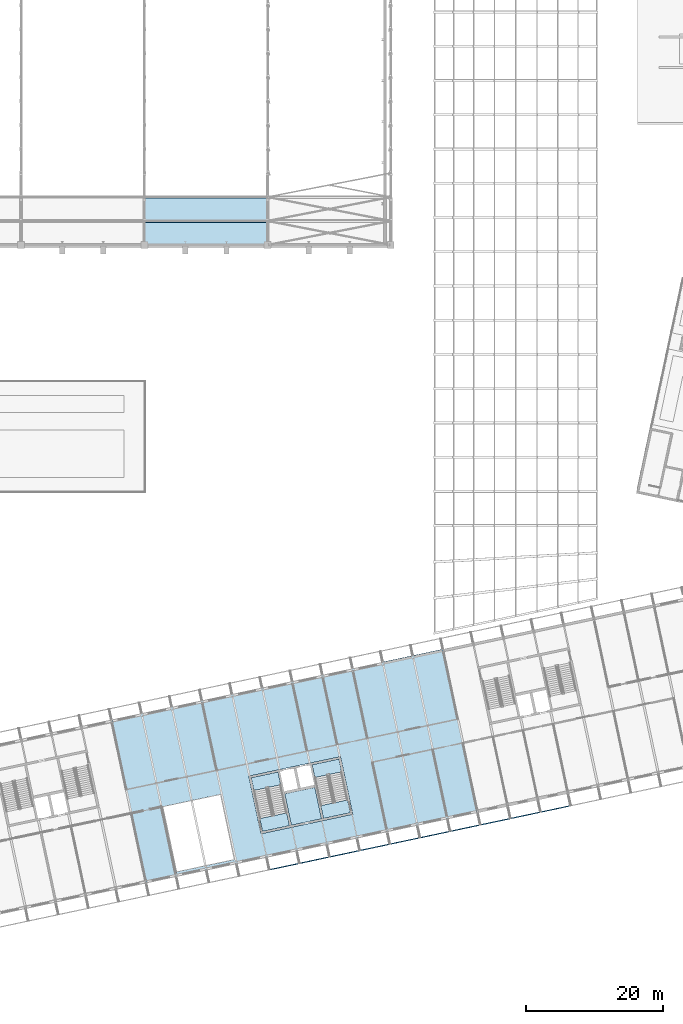
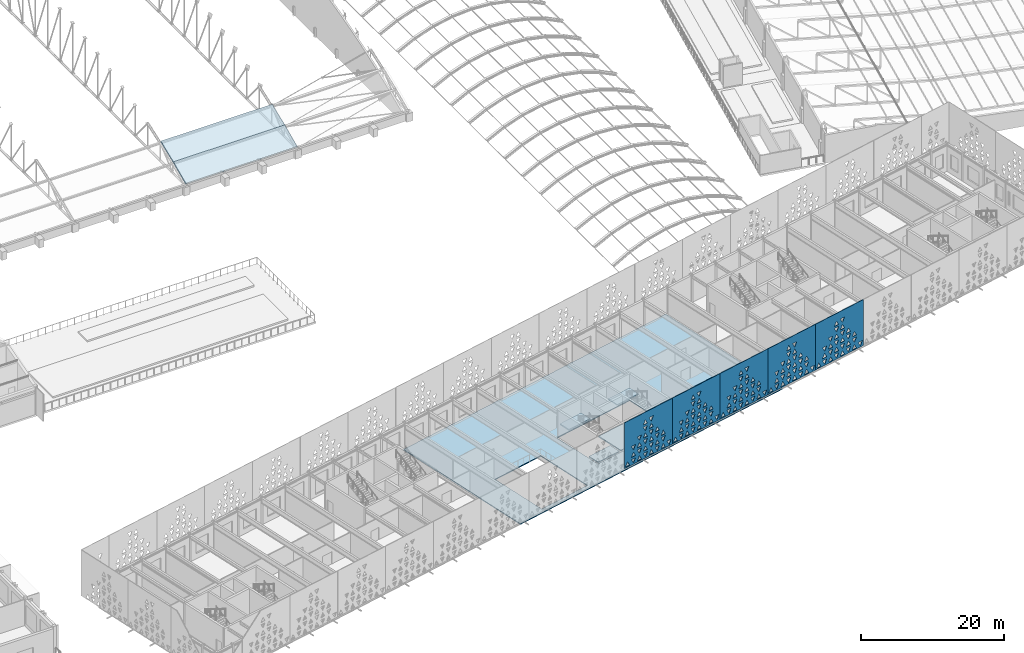
# One storey, part 108 of 196: 8 slabs, 5 plates, 2 elements without a shape of their own.
"""IFC4 building model written with IfcOpenShell, lengths in metres."""

from ifc_helpers import new_model, si_unit, direction, frame, origin, place, context, subcontext, project, spatial, polyline, outline, extrude, material, layer, layer_set, type_object, element, aggregate, save


model = new_model("IFC4")

# Units and contexts
model_context = context("Model", 3, precision=1e-05, world=origin(), true_north=direction((0.0, 1.0)))
body_context = subcontext(model_context, "Body", "Model", "MODEL_VIEW")
ifc_project = project(units=[si_unit("LENGTHUNIT", "METRE"), si_unit("AREAUNIT", "SQUARE_METRE"), si_unit("VOLUMEUNIT", "CUBIC_METRE"), si_unit("PLANEANGLEUNIT", "RADIAN"), si_unit("MASSUNIT", "GRAM", prefix="KILO")], contexts=[model_context])

# Site, building, storey
site_placement = place(None, origin())
site = spatial("IfcSite", under=ifc_project, at=site_placement, CompositionType="ELEMENT")
building_placement = place(site_placement, origin())
building = spatial("IfcBuilding", under=site, at=building_placement, Name="Okhra Congress Centre", CompositionType="ELEMENT")
storey_placement = place(building_placement, frame((0.0, 0.0, 12.0)))
storey = spatial("IfcBuildingStorey", under=building, at=storey_placement, Name="L02", CompositionType="ELEMENT", Elevation=12.0)

# Slabs
ifc_material_1 = material(Name="Concrete C30/37 on profiled steel deck", Category="concrete")
ifc_layer_1 = layer(ifc_material_1, 0.14990234375)
ifc_layer_set_1 = layer_set([ifc_layer_1], Name="Composite floor deck 150 REI 120 C30/37")
slab_type_1 = type_object("IfcSlabType", Name="Composite floor deck 150 REI 120 C30/37", PredefinedType="FLOOR", material=ifc_layer_set_1)
slab_1_placement = place(storey_placement, frame((0.0, 0.0, -0.14990234375)))
element("IfcSlab", 1, at=slab_1_placement, inside=storey, type_object=slab_type_1, Name="Floor slab L02 bay 2", PredefinedType="FLOOR", context=body_context, shape_type="SweptSolid", body=[
    extrude(outline(polyline([(113.244873046875, 62.677978515625), (118.328369140625, 38.762451171875), (166.64892578125, 49.033203125), (161.5654296875, 72.948974609375), (113.244873046875, 62.677978515625)]), holes=[polyline([(146.65234375, 57.25537109375), (133.251708984375, 54.406982421875), (135.039794921875, 45.994873046875), (148.4404296875, 48.84326171875), (146.65234375, 57.25537109375)]), polyline([(120.7041015625, 49.950927734375), (122.72607421875, 40.438232421875), (131.137939453125, 42.226318359375), (129.1162109375, 51.73876953125), (120.7041015625, 49.950927734375)])]), origin(), (0.0, 0.0, 1.0), 0.14990234375),
])
ifc_material_2 = material(Name="Insulated metal sandwich roof panel (mineral wool core)")
ifc_layer_2 = layer(ifc_material_2, 0.25)
ifc_layer_set_2 = layer_set([ifc_layer_2], Name="Insulated roof panel 250")
slab_type_2 = type_object("IfcSlabType", Name="Insulated roof panel 250", PredefinedType="ROOF", material=ifc_layer_set_2)
slab_2_placement = place(storey_placement, frame((118.0, 131.795654296875, 1.8564453125), z_axis=(0.0, -0.408547084695, 0.912737245645), x_axis=(1.0, 0.0, 0.0)))
element("IfcSlab", 2, at=slab_2_placement, inside=storey, type_object=slab_type_2, Name="EH.SLAB.L02.RP6-01", PredefinedType="ROOF", context=body_context, shape_type="SweptSolid", body=[
    extrude(outline(polyline([(0.0, 0.0), (18.0, 0.0), (18.0, 3.8442488013304907), (0.0, 3.8442488013304907), (0.0, 0.0)])), origin(), (0.0, 0.0, -1.0), 0.25),
])
slab_3_placement = place(storey_placement, frame((118.0, 135.304443359375, 3.427001953125), z_axis=(0.0, -0.37302210348, 0.927822456247), x_axis=(1.0, 0.0, 0.0)))
element("IfcSlab", 3, at=slab_3_placement, inside=storey, type_object=slab_type_2, Name="EH.SLAB.L02.RP6-02", PredefinedType="ROOF", context=body_context, shape_type="SweptSolid", body=[
    extrude(outline(polyline([(0.0, 0.0), (18.0, 0.0), (18.0, 3.791482133182613), (0.0, 3.791482133182613), (0.0, 0.0)])), origin(), (0.0, 0.0, -1.0), 0.25),
])
ifc_material_3 = material(Name="Concrete C30/37", Category="concrete")
ifc_layer_3 = layer(ifc_material_3, 0.199951171875)
ifc_layer_set_3 = layer_set([ifc_layer_3], Name="RC floor slab 200 REI 120 C30/37")
slab_type_3 = type_object("IfcSlabType", Name="RC floor slab 200 REI 120 C30/37", PredefinedType="FLOOR", material=ifc_layer_set_3)
slab_4_placement = place(storey_placement, frame((0.0, 0.0, -0.199951171875)))
element("IfcSlab", 4, at=slab_4_placement, inside=storey, type_object=slab_type_3, Name="Stair floor landing 3A L02", PredefinedType="FLOOR", context=body_context, shape_type="SweptSolid", body=[
    extrude(outline(polyline([(139.189453125, 47.178466796875), (135.26708984375, 46.3447265625), (134.869873046875, 48.213134765625), (138.792236328125, 49.046875), (139.189453125, 47.178466796875)])), origin(), (0.0, 0.0, 1.0), 0.199951171875),
])
slab_5_placement = place(storey_placement, frame((0.0, 0.0, -0.199951171875)))
element("IfcSlab", 5, at=slab_5_placement, inside=storey, type_object=slab_type_3, Name="Stair floor landing 3B L02", PredefinedType="FLOOR", context=body_context, shape_type="SweptSolid", body=[
    extrude(outline(polyline([(148.090576171875, 49.070556640625), (144.168212890625, 48.23681640625), (143.77099609375, 50.10498046875), (147.693359375, 50.938720703125), (148.090576171875, 49.070556640625)])), origin(), (0.0, 0.0, 1.0), 0.199951171875),
])
slab_6_placement = place(storey_placement, frame((0.0, 0.0, -0.199951171875)))
element("IfcSlab", 6, at=slab_6_placement, inside=storey, type_object=slab_type_3, Name="Riser room floor 3 L02", PredefinedType="FLOOR", context=body_context, shape_type="SweptSolid", body=[
    extrude(outline(polyline([(139.476806640625, 47.244873046875), (143.87841796875, 48.180419921875), (142.9013671875, 52.777587890625), (138.499755859375, 51.842041015625), (139.476806640625, 47.244873046875)])), origin(), (0.0, 0.0, 1.0), 0.199951171875),
])

# Stair, slab
stair_type = type_object("IfcStairType", Name="Escape stair 1900 wide, 30 risers of 160.0", PredefinedType="HALF_TURN_STAIR", material=ifc_material_3)
stair_1_placement = place(storey_placement, origin())
stair_1 = element("IfcStair", 7, at=stair_1_placement, inside=storey, type_object=stair_type, Name="L02 Escape stair 3A", PredefinedType="HALF_TURN_STAIR")
ifc_layer_4 = layer(ifc_material_3, 0.199951171875)
ifc_layer_set_4 = layer_set([ifc_layer_4], Name="RC stair landing 200 C30/37")
slab_type_4 = type_object("IfcSlabType", Name="RC stair landing 200 C30/37", PredefinedType="LANDING", material=ifc_layer_set_4)
slab_7_placement = place(storey_placement, frame((0.0, 0.0, 2.199951171875)))
slab_7 = element("IfcSlab", 8, at=slab_7_placement, type_object=slab_type_4, Name="BS3A landing 1", PredefinedType="LANDING", context=body_context, shape_type="SweptSolid", body=[
    extrude(outline(polyline([(137.921142578125, 53.145263671875), (133.998779296875, 52.3115234375), (133.6015625, 54.1796875), (137.52392578125, 55.013427734375), (137.921142578125, 53.145263671875)])), origin(), (0.0, 0.0, 1.0), 0.199951171875),
])
aggregate(stair_1, [slab_7])

stair_2_placement = place(storey_placement, origin())
stair_2 = element("IfcStair", 9, at=stair_2_placement, inside=storey, type_object=stair_type, Name="L02 Escape stair 3B", PredefinedType="HALF_TURN_STAIR")
slab_8_placement = place(storey_placement, frame((0.0, 0.0, 2.199951171875)))
slab_8 = element("IfcSlab", 10, at=slab_8_placement, type_object=slab_type_4, Name="BS3B landing 1", PredefinedType="LANDING", context=body_context, shape_type="SweptSolid", body=[
    extrude(outline(polyline([(146.822265625, 55.037353515625), (142.89990234375, 54.20361328125), (142.502685546875, 56.07177734375), (146.425048828125, 56.905517578125), (146.822265625, 55.037353515625)])), origin(), (0.0, 0.0, 1.0), 0.199951171875),
])
aggregate(stair_2, [slab_8])

# Plates
ifc_material_4 = material(Name="Fired clay terracotta rainscreen panel, deep oxide-red glaze, non-combustible", Category="masonry")
ifc_layer_5 = layer(ifc_material_4, 0.080078125)
ifc_layer_set_5 = layer_set([ifc_layer_5], Name="Terracotta screen panel 8980x7840")
plate_type = type_object("IfcPlateType", Name="Terracotta screen panel 8980x7840", PredefinedType="SHEET", material=ifc_layer_set_5)
plate_1_placement = place(storey_placement, frame((136.27001953125, 40.73583984375, 1.949951171875), z_axis=(0.0, 0.0, 1.0), x_axis=(0.978150766104, 0.207896798366, 0.0)))
element("IfcPlate", 11, at=plate_1_placement, inside=storey, type_object=plate_type, Name="Screen panel S10 Tier 2", PredefinedType="SHEET", context=body_context, shape_type="SweptSolid", body=[
    extrude(outline(polyline([(0.0, 0.0), (8.980224609375, 0.0), (8.980224609375, 7.840087890625), (0.0, 7.840087890625), (0.0, 0.0)]), holes=[polyline([(0.176513671875, 0.183837890625), (0.943603515625, 0.183837890625), (0.56005859375, 0.93603515625), (0.176513671875, 0.183837890625)]), polyline([(1.29638671875, 0.93603515625), (1.679931640625, 0.183837890625), (2.0634765625, 0.93603515625), (1.29638671875, 0.93603515625)]), polyline([(2.41650390625, 0.183837890625), (3.18359375, 0.183837890625), (2.800048828125, 0.93603515625), (2.41650390625, 0.183837890625)]), polyline([(3.536376953125, 0.93603515625), (3.919921875, 0.183837890625), (4.3037109375, 0.93603515625), (3.536376953125, 0.93603515625)]), polyline([(4.656494140625, 0.183837890625), (5.423583984375, 0.183837890625), (5.0400390625, 0.93603515625), (4.656494140625, 0.183837890625)]), polyline([(5.7763671875, 0.93603515625), (6.159912109375, 0.183837890625), (6.543701171875, 0.93603515625), (5.7763671875, 0.93603515625)]), polyline([(6.896484375, 0.183837890625), (7.66357421875, 0.183837890625), (7.280029296875, 0.93603515625), (6.896484375, 0.183837890625)]), polyline([(8.016357421875, 0.93603515625), (8.39990234375, 0.183837890625), (8.78369140625, 0.93603515625), (8.016357421875, 0.93603515625)]), polyline([(1.29638671875, 1.303955078125), (2.0634765625, 1.303955078125), (1.679931640625, 2.05615234375), (1.29638671875, 1.303955078125)]), polyline([(2.41650390625, 2.05615234375), (2.800048828125, 1.303955078125), (3.18359375, 2.05615234375), (2.41650390625, 2.05615234375)]), polyline([(3.536376953125, 1.303955078125), (4.3037109375, 1.303955078125), (3.919921875, 2.05615234375), (3.536376953125, 1.303955078125)]), polyline([(4.656494140625, 2.05615234375), (5.0400390625, 1.303955078125), (5.423583984375, 2.05615234375), (4.656494140625, 2.05615234375)]), polyline([(5.7763671875, 1.303955078125), (6.543701171875, 1.303955078125), (6.159912109375, 2.05615234375), (5.7763671875, 1.303955078125)]), polyline([(6.896484375, 2.05615234375), (7.280029296875, 1.303955078125), (7.66357421875, 2.05615234375), (6.896484375, 2.05615234375)]), polyline([(1.29638671875, 3.176025390625), (1.679931640625, 2.423828125), (2.0634765625, 3.176025390625), (1.29638671875, 3.176025390625)]), polyline([(2.41650390625, 2.423828125), (3.18359375, 2.423828125), (2.800048828125, 3.176025390625), (2.41650390625, 2.423828125)]), polyline([(3.536376953125, 3.176025390625), (3.919921875, 2.423828125), (4.3037109375, 3.176025390625), (3.536376953125, 3.176025390625)]), polyline([(4.656494140625, 2.423828125), (5.423583984375, 2.423828125), (5.0400390625, 3.176025390625), (4.656494140625, 2.423828125)]), polyline([(5.7763671875, 3.176025390625), (6.159912109375, 2.423828125), (6.543701171875, 3.176025390625), (5.7763671875, 3.176025390625)]), polyline([(6.896484375, 2.423828125), (7.66357421875, 2.423828125), (7.280029296875, 3.176025390625), (6.896484375, 2.423828125)]), polyline([(2.41650390625, 4.296142578125), (2.800048828125, 3.5439453125), (3.18359375, 4.296142578125), (2.41650390625, 4.296142578125)]), polyline([(3.536376953125, 3.5439453125), (4.3037109375, 3.5439453125), (3.919921875, 4.296142578125), (3.536376953125, 3.5439453125)]), polyline([(4.656494140625, 4.296142578125), (5.0400390625, 3.5439453125), (5.423583984375, 4.296142578125), (4.656494140625, 4.296142578125)]), polyline([(5.7763671875, 3.5439453125), (6.543701171875, 3.5439453125), (6.159912109375, 4.296142578125), (5.7763671875, 3.5439453125)]), polyline([(3.536376953125, 5.416015625), (3.919921875, 4.663818359375), (4.3037109375, 5.416015625), (3.536376953125, 5.416015625)]), polyline([(4.656494140625, 4.663818359375), (5.423583984375, 4.663818359375), (5.0400390625, 5.416015625), (4.656494140625, 4.663818359375)]), polyline([(3.536376953125, 5.783935546875), (4.3037109375, 5.783935546875), (3.919921875, 6.5361328125), (3.536376953125, 5.783935546875)]), polyline([(4.656494140625, 6.5361328125), (5.0400390625, 5.783935546875), (5.423583984375, 6.5361328125), (4.656494140625, 6.5361328125)])]), frame((0.0, 0.0400390625, 0.0), z_axis=(0.0, -1.0, 0.0), x_axis=(1.0, 0.0, 0.0)), (0.0, 0.0, 1.0), 0.080078125),
])
plate_2_placement = place(storey_placement, frame((145.073486328125, 42.60693359375, 1.949951171875), z_axis=(0.0, 0.0, 1.0), x_axis=(0.978144061878, 0.207928339131, 0.0)))
element("IfcPlate", 12, at=plate_2_placement, inside=storey, type_object=plate_type, Name="Screen panel S11 Tier 2", PredefinedType="SHEET", context=body_context, shape_type="SweptSolid", body=[
    extrude(outline(polyline([(0.0, 0.0), (8.97998046875, 0.0), (8.97998046875, 7.840087890625), (0.0, 7.840087890625), (0.0, 0.0)]), holes=[polyline([(0.176513671875, 0.183837890625), (0.943603515625, 0.183837890625), (0.56005859375, 0.93603515625), (0.176513671875, 0.183837890625)]), polyline([(1.29638671875, 0.93603515625), (1.679931640625, 0.183837890625), (2.0634765625, 0.93603515625), (1.29638671875, 0.93603515625)]), polyline([(2.41650390625, 0.183837890625), (3.18359375, 0.183837890625), (2.800048828125, 0.93603515625), (2.41650390625, 0.183837890625)]), polyline([(3.536376953125, 0.93603515625), (3.919921875, 0.183837890625), (4.3037109375, 0.93603515625), (3.536376953125, 0.93603515625)]), polyline([(4.656494140625, 0.183837890625), (5.423583984375, 0.183837890625), (5.0400390625, 0.93603515625), (4.656494140625, 0.183837890625)]), polyline([(5.7763671875, 0.93603515625), (6.159912109375, 0.183837890625), (6.543701171875, 0.93603515625), (5.7763671875, 0.93603515625)]), polyline([(6.896484375, 0.183837890625), (7.66357421875, 0.183837890625), (7.280029296875, 0.93603515625), (6.896484375, 0.183837890625)]), polyline([(8.016357421875, 0.93603515625), (8.39990234375, 0.183837890625), (8.78369140625, 0.93603515625), (8.016357421875, 0.93603515625)]), polyline([(1.29638671875, 1.303955078125), (2.0634765625, 1.303955078125), (1.679931640625, 2.05615234375), (1.29638671875, 1.303955078125)]), polyline([(2.41650390625, 2.05615234375), (2.800048828125, 1.303955078125), (3.18359375, 2.05615234375), (2.41650390625, 2.05615234375)]), polyline([(3.536376953125, 1.303955078125), (4.3037109375, 1.303955078125), (3.919921875, 2.05615234375), (3.536376953125, 1.303955078125)]), polyline([(4.656494140625, 2.05615234375), (5.0400390625, 1.303955078125), (5.423583984375, 2.05615234375), (4.656494140625, 2.05615234375)]), polyline([(5.7763671875, 1.303955078125), (6.543701171875, 1.303955078125), (6.159912109375, 2.05615234375), (5.7763671875, 1.303955078125)]), polyline([(6.896484375, 2.05615234375), (7.280029296875, 1.303955078125), (7.66357421875, 2.05615234375), (6.896484375, 2.05615234375)]), polyline([(1.29638671875, 3.176025390625), (1.679931640625, 2.423828125), (2.0634765625, 3.176025390625), (1.29638671875, 3.176025390625)]), polyline([(2.41650390625, 2.423828125), (3.18359375, 2.423828125), (2.800048828125, 3.176025390625), (2.41650390625, 2.423828125)]), polyline([(3.536376953125, 3.176025390625), (3.919921875, 2.423828125), (4.3037109375, 3.176025390625), (3.536376953125, 3.176025390625)]), polyline([(4.656494140625, 2.423828125), (5.423583984375, 2.423828125), (5.0400390625, 3.176025390625), (4.656494140625, 2.423828125)]), polyline([(5.7763671875, 3.176025390625), (6.159912109375, 2.423828125), (6.543701171875, 3.176025390625), (5.7763671875, 3.176025390625)]), polyline([(6.896484375, 2.423828125), (7.66357421875, 2.423828125), (7.280029296875, 3.176025390625), (6.896484375, 2.423828125)]), polyline([(2.41650390625, 4.296142578125), (2.800048828125, 3.5439453125), (3.18359375, 4.296142578125), (2.41650390625, 4.296142578125)]), polyline([(3.536376953125, 3.5439453125), (4.3037109375, 3.5439453125), (3.919921875, 4.296142578125), (3.536376953125, 3.5439453125)]), polyline([(4.656494140625, 4.296142578125), (5.0400390625, 3.5439453125), (5.423583984375, 4.296142578125), (4.656494140625, 4.296142578125)]), polyline([(5.7763671875, 3.5439453125), (6.543701171875, 3.5439453125), (6.159912109375, 4.296142578125), (5.7763671875, 3.5439453125)]), polyline([(3.536376953125, 5.416015625), (3.919921875, 4.663818359375), (4.3037109375, 5.416015625), (3.536376953125, 5.416015625)]), polyline([(4.656494140625, 4.663818359375), (5.423583984375, 4.663818359375), (5.0400390625, 5.416015625), (4.656494140625, 4.663818359375)]), polyline([(3.536376953125, 5.783935546875), (4.3037109375, 5.783935546875), (3.919921875, 6.5361328125), (3.536376953125, 5.783935546875)]), polyline([(4.656494140625, 6.5361328125), (5.0400390625, 5.783935546875), (5.423583984375, 6.5361328125), (4.656494140625, 6.5361328125)])]), frame((0.0, 0.0400390625, 0.0), z_axis=(0.0, -1.0, 0.0), x_axis=(1.0, 0.0, 0.0)), (0.0, 0.0, 1.0), 0.080078125),
])
plate_3_placement = place(storey_placement, frame((153.876708984375, 44.478271484375, 1.949951171875), z_axis=(0.0, 0.0, 1.0), x_axis=(0.978149591018, 0.207902327047, 0.0)))
element("IfcPlate", 13, at=plate_3_placement, inside=storey, type_object=plate_type, Name="Screen panel S12 Tier 2", PredefinedType="SHEET", context=body_context, shape_type="SweptSolid", body=[
    extrude(outline(polyline([(0.0, 0.0), (8.97998046875, 0.0), (8.97998046875, 7.840087890625), (0.0, 7.840087890625), (0.0, 0.0)]), holes=[polyline([(0.176513671875, 0.183837890625), (0.943603515625, 0.183837890625), (0.56005859375, 0.93603515625), (0.176513671875, 0.183837890625)]), polyline([(1.29638671875, 0.93603515625), (1.679931640625, 0.183837890625), (2.0634765625, 0.93603515625), (1.29638671875, 0.93603515625)]), polyline([(2.41650390625, 0.183837890625), (3.18359375, 0.183837890625), (2.800048828125, 0.93603515625), (2.41650390625, 0.183837890625)]), polyline([(3.536376953125, 0.93603515625), (3.919921875, 0.183837890625), (4.3037109375, 0.93603515625), (3.536376953125, 0.93603515625)]), polyline([(4.656494140625, 0.183837890625), (5.423583984375, 0.183837890625), (5.0400390625, 0.93603515625), (4.656494140625, 0.183837890625)]), polyline([(5.7763671875, 0.93603515625), (6.159912109375, 0.183837890625), (6.543701171875, 0.93603515625), (5.7763671875, 0.93603515625)]), polyline([(6.896484375, 0.183837890625), (7.66357421875, 0.183837890625), (7.280029296875, 0.93603515625), (6.896484375, 0.183837890625)]), polyline([(8.016357421875, 0.93603515625), (8.39990234375, 0.183837890625), (8.78369140625, 0.93603515625), (8.016357421875, 0.93603515625)]), polyline([(1.29638671875, 1.303955078125), (2.0634765625, 1.303955078125), (1.679931640625, 2.05615234375), (1.29638671875, 1.303955078125)]), polyline([(2.41650390625, 2.05615234375), (2.800048828125, 1.303955078125), (3.18359375, 2.05615234375), (2.41650390625, 2.05615234375)]), polyline([(3.536376953125, 1.303955078125), (4.3037109375, 1.303955078125), (3.919921875, 2.05615234375), (3.536376953125, 1.303955078125)]), polyline([(4.656494140625, 2.05615234375), (5.0400390625, 1.303955078125), (5.423583984375, 2.05615234375), (4.656494140625, 2.05615234375)]), polyline([(5.7763671875, 1.303955078125), (6.543701171875, 1.303955078125), (6.159912109375, 2.05615234375), (5.7763671875, 1.303955078125)]), polyline([(6.896484375, 2.05615234375), (7.280029296875, 1.303955078125), (7.66357421875, 2.05615234375), (6.896484375, 2.05615234375)]), polyline([(1.29638671875, 3.176025390625), (1.679931640625, 2.423828125), (2.0634765625, 3.176025390625), (1.29638671875, 3.176025390625)]), polyline([(2.41650390625, 2.423828125), (3.18359375, 2.423828125), (2.800048828125, 3.176025390625), (2.41650390625, 2.423828125)]), polyline([(3.536376953125, 3.176025390625), (3.919921875, 2.423828125), (4.3037109375, 3.176025390625), (3.536376953125, 3.176025390625)]), polyline([(4.656494140625, 2.423828125), (5.423583984375, 2.423828125), (5.0400390625, 3.176025390625), (4.656494140625, 2.423828125)]), polyline([(5.7763671875, 3.176025390625), (6.159912109375, 2.423828125), (6.543701171875, 3.176025390625), (5.7763671875, 3.176025390625)]), polyline([(6.896484375, 2.423828125), (7.66357421875, 2.423828125), (7.280029296875, 3.176025390625), (6.896484375, 2.423828125)]), polyline([(2.41650390625, 4.296142578125), (2.800048828125, 3.5439453125), (3.18359375, 4.296142578125), (2.41650390625, 4.296142578125)]), polyline([(3.536376953125, 3.5439453125), (4.3037109375, 3.5439453125), (3.919921875, 4.296142578125), (3.536376953125, 3.5439453125)]), polyline([(4.656494140625, 4.296142578125), (5.0400390625, 3.5439453125), (5.423583984375, 4.296142578125), (4.656494140625, 4.296142578125)]), polyline([(5.7763671875, 3.5439453125), (6.543701171875, 3.5439453125), (6.159912109375, 4.296142578125), (5.7763671875, 3.5439453125)]), polyline([(3.536376953125, 5.416015625), (3.919921875, 4.663818359375), (4.3037109375, 5.416015625), (3.536376953125, 5.416015625)]), polyline([(4.656494140625, 4.663818359375), (5.423583984375, 4.663818359375), (5.0400390625, 5.416015625), (4.656494140625, 4.663818359375)]), polyline([(3.536376953125, 5.783935546875), (4.3037109375, 5.783935546875), (3.919921875, 6.5361328125), (3.536376953125, 5.783935546875)]), polyline([(4.656494140625, 6.5361328125), (5.0400390625, 5.783935546875), (5.423583984375, 6.5361328125), (4.656494140625, 6.5361328125)])]), frame((0.0, 0.0400390625, 0.0), z_axis=(0.0, -1.0, 0.0), x_axis=(1.0, 0.0, 0.0)), (0.0, 0.0, 1.0), 0.080078125),
])
plate_4_placement = place(storey_placement, frame((162.68017578125, 46.349365234375, 1.949951171875), z_axis=(0.0, 0.0, 1.0), x_axis=(0.978144061878, 0.207928339131, 0.0)))
element("IfcPlate", 14, at=plate_4_placement, inside=storey, type_object=plate_type, Name="Screen panel S13 Tier 2", PredefinedType="SHEET", context=body_context, shape_type="SweptSolid", body=[
    extrude(outline(polyline([(0.0, 0.0), (8.97998046875, 0.0), (8.97998046875, 7.840087890625), (0.0, 7.840087890625), (0.0, 0.0)]), holes=[polyline([(0.176513671875, 0.183837890625), (0.943603515625, 0.183837890625), (0.56005859375, 0.93603515625), (0.176513671875, 0.183837890625)]), polyline([(1.29638671875, 0.93603515625), (1.679931640625, 0.183837890625), (2.0634765625, 0.93603515625), (1.29638671875, 0.93603515625)]), polyline([(2.41650390625, 0.183837890625), (3.18359375, 0.183837890625), (2.800048828125, 0.93603515625), (2.41650390625, 0.183837890625)]), polyline([(3.536376953125, 0.93603515625), (3.919921875, 0.183837890625), (4.3037109375, 0.93603515625), (3.536376953125, 0.93603515625)]), polyline([(4.656494140625, 0.183837890625), (5.423583984375, 0.183837890625), (5.0400390625, 0.93603515625), (4.656494140625, 0.183837890625)]), polyline([(5.7763671875, 0.93603515625), (6.159912109375, 0.183837890625), (6.543701171875, 0.93603515625), (5.7763671875, 0.93603515625)]), polyline([(6.896484375, 0.183837890625), (7.66357421875, 0.183837890625), (7.280029296875, 0.93603515625), (6.896484375, 0.183837890625)]), polyline([(8.016357421875, 0.93603515625), (8.39990234375, 0.183837890625), (8.78369140625, 0.93603515625), (8.016357421875, 0.93603515625)]), polyline([(1.29638671875, 1.303955078125), (2.0634765625, 1.303955078125), (1.679931640625, 2.05615234375), (1.29638671875, 1.303955078125)]), polyline([(2.41650390625, 2.05615234375), (2.800048828125, 1.303955078125), (3.18359375, 2.05615234375), (2.41650390625, 2.05615234375)]), polyline([(3.536376953125, 1.303955078125), (4.3037109375, 1.303955078125), (3.919921875, 2.05615234375), (3.536376953125, 1.303955078125)]), polyline([(4.656494140625, 2.05615234375), (5.0400390625, 1.303955078125), (5.423583984375, 2.05615234375), (4.656494140625, 2.05615234375)]), polyline([(5.7763671875, 1.303955078125), (6.543701171875, 1.303955078125), (6.159912109375, 2.05615234375), (5.7763671875, 1.303955078125)]), polyline([(6.896484375, 2.05615234375), (7.280029296875, 1.303955078125), (7.66357421875, 2.05615234375), (6.896484375, 2.05615234375)]), polyline([(1.29638671875, 3.176025390625), (1.679931640625, 2.423828125), (2.0634765625, 3.176025390625), (1.29638671875, 3.176025390625)]), polyline([(2.41650390625, 2.423828125), (3.18359375, 2.423828125), (2.800048828125, 3.176025390625), (2.41650390625, 2.423828125)]), polyline([(3.536376953125, 3.176025390625), (3.919921875, 2.423828125), (4.3037109375, 3.176025390625), (3.536376953125, 3.176025390625)]), polyline([(4.656494140625, 2.423828125), (5.423583984375, 2.423828125), (5.0400390625, 3.176025390625), (4.656494140625, 2.423828125)]), polyline([(5.7763671875, 3.176025390625), (6.159912109375, 2.423828125), (6.543701171875, 3.176025390625), (5.7763671875, 3.176025390625)]), polyline([(6.896484375, 2.423828125), (7.66357421875, 2.423828125), (7.280029296875, 3.176025390625), (6.896484375, 2.423828125)]), polyline([(2.41650390625, 4.296142578125), (2.800048828125, 3.5439453125), (3.18359375, 4.296142578125), (2.41650390625, 4.296142578125)]), polyline([(3.536376953125, 3.5439453125), (4.3037109375, 3.5439453125), (3.919921875, 4.296142578125), (3.536376953125, 3.5439453125)]), polyline([(4.656494140625, 4.296142578125), (5.0400390625, 3.5439453125), (5.423583984375, 4.296142578125), (4.656494140625, 4.296142578125)]), polyline([(5.7763671875, 3.5439453125), (6.543701171875, 3.5439453125), (6.159912109375, 4.296142578125), (5.7763671875, 3.5439453125)]), polyline([(3.536376953125, 5.416015625), (3.919921875, 4.663818359375), (4.3037109375, 5.416015625), (3.536376953125, 5.416015625)]), polyline([(4.656494140625, 4.663818359375), (5.423583984375, 4.663818359375), (5.0400390625, 5.416015625), (4.656494140625, 4.663818359375)]), polyline([(3.536376953125, 5.783935546875), (4.3037109375, 5.783935546875), (3.919921875, 6.5361328125), (3.536376953125, 5.783935546875)]), polyline([(4.656494140625, 6.5361328125), (5.0400390625, 5.783935546875), (5.423583984375, 6.5361328125), (4.656494140625, 6.5361328125)])]), frame((0.0, 0.0400390625, 0.0), z_axis=(0.0, -1.0, 0.0), x_axis=(1.0, 0.0, 0.0)), (0.0, 0.0, 1.0), 0.080078125),
])
plate_5_placement = place(storey_placement, frame((171.4833984375, 48.220703125, 1.949951171875), z_axis=(0.0, 0.0, 1.0), x_axis=(0.978149591018, 0.207902327047, 0.0)))
element("IfcPlate", 15, at=plate_5_placement, inside=storey, type_object=plate_type, Name="Screen panel S14 Tier 2", PredefinedType="SHEET", context=body_context, shape_type="SweptSolid", body=[
    extrude(outline(polyline([(0.0, 0.0), (8.97998046875, 0.0), (8.97998046875, 7.840087890625), (0.0, 7.840087890625), (0.0, 0.0)]), holes=[polyline([(0.176513671875, 0.183837890625), (0.943603515625, 0.183837890625), (0.56005859375, 0.93603515625), (0.176513671875, 0.183837890625)]), polyline([(1.29638671875, 0.93603515625), (1.679931640625, 0.183837890625), (2.0634765625, 0.93603515625), (1.29638671875, 0.93603515625)]), polyline([(2.41650390625, 0.183837890625), (3.18359375, 0.183837890625), (2.800048828125, 0.93603515625), (2.41650390625, 0.183837890625)]), polyline([(3.536376953125, 0.93603515625), (3.919921875, 0.183837890625), (4.3037109375, 0.93603515625), (3.536376953125, 0.93603515625)]), polyline([(4.656494140625, 0.183837890625), (5.423583984375, 0.183837890625), (5.0400390625, 0.93603515625), (4.656494140625, 0.183837890625)]), polyline([(5.7763671875, 0.93603515625), (6.159912109375, 0.183837890625), (6.543701171875, 0.93603515625), (5.7763671875, 0.93603515625)]), polyline([(6.896484375, 0.183837890625), (7.66357421875, 0.183837890625), (7.280029296875, 0.93603515625), (6.896484375, 0.183837890625)]), polyline([(8.016357421875, 0.93603515625), (8.39990234375, 0.183837890625), (8.78369140625, 0.93603515625), (8.016357421875, 0.93603515625)]), polyline([(1.29638671875, 1.303955078125), (2.0634765625, 1.303955078125), (1.679931640625, 2.05615234375), (1.29638671875, 1.303955078125)]), polyline([(2.41650390625, 2.05615234375), (2.800048828125, 1.303955078125), (3.18359375, 2.05615234375), (2.41650390625, 2.05615234375)]), polyline([(3.536376953125, 1.303955078125), (4.3037109375, 1.303955078125), (3.919921875, 2.05615234375), (3.536376953125, 1.303955078125)]), polyline([(4.656494140625, 2.05615234375), (5.0400390625, 1.303955078125), (5.423583984375, 2.05615234375), (4.656494140625, 2.05615234375)]), polyline([(5.7763671875, 1.303955078125), (6.543701171875, 1.303955078125), (6.159912109375, 2.05615234375), (5.7763671875, 1.303955078125)]), polyline([(6.896484375, 2.05615234375), (7.280029296875, 1.303955078125), (7.66357421875, 2.05615234375), (6.896484375, 2.05615234375)]), polyline([(1.29638671875, 3.176025390625), (1.679931640625, 2.423828125), (2.0634765625, 3.176025390625), (1.29638671875, 3.176025390625)]), polyline([(2.41650390625, 2.423828125), (3.18359375, 2.423828125), (2.800048828125, 3.176025390625), (2.41650390625, 2.423828125)]), polyline([(3.536376953125, 3.176025390625), (3.919921875, 2.423828125), (4.3037109375, 3.176025390625), (3.536376953125, 3.176025390625)]), polyline([(4.656494140625, 2.423828125), (5.423583984375, 2.423828125), (5.0400390625, 3.176025390625), (4.656494140625, 2.423828125)]), polyline([(5.7763671875, 3.176025390625), (6.159912109375, 2.423828125), (6.543701171875, 3.176025390625), (5.7763671875, 3.176025390625)]), polyline([(6.896484375, 2.423828125), (7.66357421875, 2.423828125), (7.280029296875, 3.176025390625), (6.896484375, 2.423828125)]), polyline([(2.41650390625, 4.296142578125), (2.800048828125, 3.5439453125), (3.18359375, 4.296142578125), (2.41650390625, 4.296142578125)]), polyline([(3.536376953125, 3.5439453125), (4.3037109375, 3.5439453125), (3.919921875, 4.296142578125), (3.536376953125, 3.5439453125)]), polyline([(4.656494140625, 4.296142578125), (5.0400390625, 3.5439453125), (5.423583984375, 4.296142578125), (4.656494140625, 4.296142578125)]), polyline([(5.7763671875, 3.5439453125), (6.543701171875, 3.5439453125), (6.159912109375, 4.296142578125), (5.7763671875, 3.5439453125)]), polyline([(3.536376953125, 5.416015625), (3.919921875, 4.663818359375), (4.3037109375, 5.416015625), (3.536376953125, 5.416015625)]), polyline([(4.656494140625, 4.663818359375), (5.423583984375, 4.663818359375), (5.0400390625, 5.416015625), (4.656494140625, 4.663818359375)]), polyline([(3.536376953125, 5.783935546875), (4.3037109375, 5.783935546875), (3.919921875, 6.5361328125), (3.536376953125, 5.783935546875)]), polyline([(4.656494140625, 6.5361328125), (5.0400390625, 5.783935546875), (5.423583984375, 6.5361328125), (4.656494140625, 6.5361328125)])]), frame((0.0, 0.0400390625, 0.0), z_axis=(0.0, -1.0, 0.0), x_axis=(1.0, 0.0, 0.0)), (0.0, 0.0, 1.0), 0.080078125),
])

save(model, "model.ifc")
